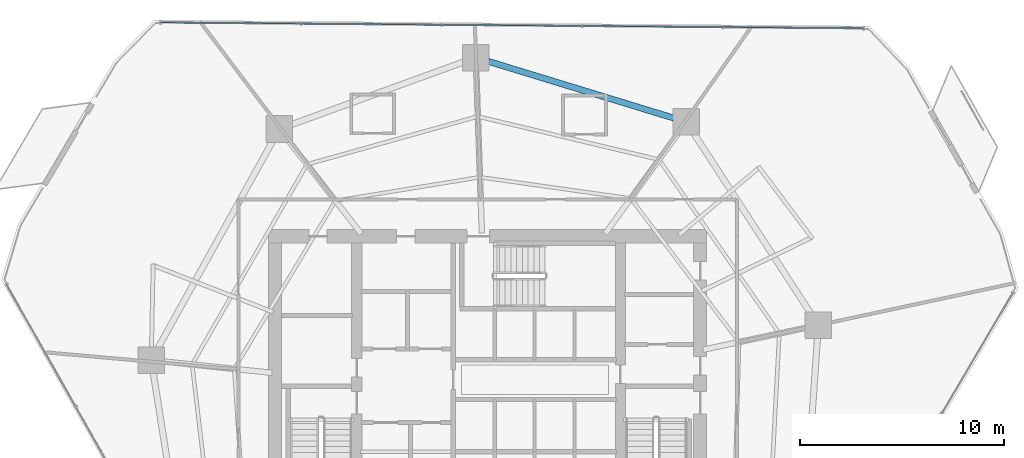
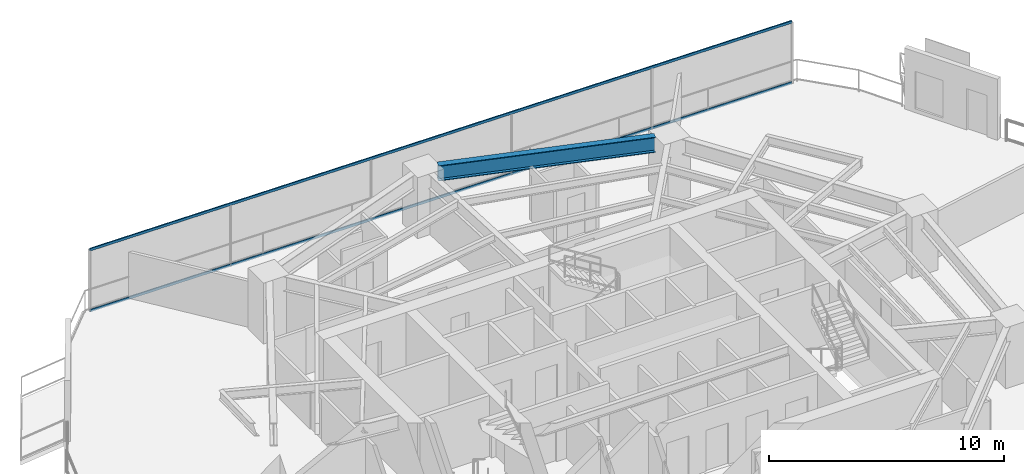
# One storey, part 20 of 31: 2 members, 1 beam, 1 element without a shape of its own.
"""IFC4 building model written with IfcOpenShell, lengths in metres."""

import ifcopenshell
import ifcopenshell.guid

model = None  # the IFC model being written
_history = None  # IfcOwnerHistory: only IFC2X3 demands one
_inside = {}  # id of a spatial element -> (the spatial element, [elements in it])
_under = {}  # id of a project, library or spatial element -> (it, [spatial elements below it])
_declared = {}  # id of a project -> (the project, [libraries it declares])
_typed = {}  # id of a type object -> (the type object, [elements of that type])
_made_of = {}  # id of a material, layer set ... -> (it, [elements and type objects made of it])


def new_model(schema):
    """Start an empty IFC model of exactly this schema.

    Asked for "IFC4X3", IfcOpenShell would pick the latest addendum, in which some entities
    have other attributes; the version numbers below select the first issue.
    IFC2X3 requires an IfcOwnerHistory on every rooted entity: one is made here for all.
    """
    global model, _history
    if schema == "IFC4X3":
        model = ifcopenshell.file(schema_version=(4, 3, 0, 0))
    else:
        model = ifcopenshell.file(schema=schema)
    _inside.clear()
    _under.clear()
    _declared.clear()
    _typed.clear()
    _made_of.clear()
    _history = None
    if model.schema == "IFC2X3":
        org = make("IfcOrganization", Name="unknown")
        user = make(
            "IfcPersonAndOrganization",
            ThePerson=make("IfcPerson", FamilyName="unknown"),
            TheOrganization=org,
        )
        app = make(
            "IfcApplication",
            ApplicationDeveloper=org,
            Version="unknown",
            ApplicationFullName="unknown",
            ApplicationIdentifier="unknown",
        )
        _history = make(
            "IfcOwnerHistory",
            OwningUser=user,
            OwningApplication=app,
            ChangeAction="ADDED",
            CreationDate=0,
        )
    return model


def make(cls, **values):
    """One entity of the class cls with the attributes given. An attribute that is None is left unset."""
    return model.create_entity(
        cls, **{name: value for name, value in values.items() if value is not None}
    )


def rooted(cls, **values):
    """An entity with a GlobalId (a new one), such as an element, a storey or a relation."""
    return make(cls, GlobalId=ifcopenshell.guid.new(), OwnerHistory=_history, **values)


def si_unit(unit_type, name, prefix=None):
    """IfcSIUnit, for example si_unit("LENGTHUNIT", "METRE", prefix="MILLI")."""
    return make("IfcSIUnit", UnitType=unit_type, Prefix=prefix, Name=name)


def assignment(units):
    """IfcUnitAssignment: the units of a project."""
    return None if units is None else make("IfcUnitAssignment", Units=units)


def point(xyz):
    """IfcCartesianPoint."""
    return None if xyz is None else make("IfcCartesianPoint", Coordinates=xyz)


def direction(xyz):
    """IfcDirection."""
    return None if xyz is None else make("IfcDirection", DirectionRatios=xyz)


def frame(location, z_axis=None, x_axis=None):
    """IfcAxis2Placement3D, a coordinate frame: its origin and axes. An axis left out is left unset."""
    return make(
        "IfcAxis2Placement3D",
        Location=point(location),
        Axis=direction(z_axis),
        RefDirection=direction(x_axis),
    )


def frame_2d(location, x_axis=None):
    """IfcAxis2Placement2D, a coordinate frame in the plane: its origin and x axis."""
    return make(
        "IfcAxis2Placement2D", Location=point(location), RefDirection=direction(x_axis)
    )


def origin():
    """The frame at (0, 0, 0) with its axes left unset."""
    return frame((0.0, 0.0, 0.0))


def origin_2d():
    """The frame at (0, 0) in the plane with its x axis left unset."""
    return frame_2d((0.0, 0.0))


def place(relative_to, where):
    """IfcLocalPlacement: puts the frame where relative to a parent placement (None: the world)."""
    return make(
        "IfcLocalPlacement", PlacementRelTo=relative_to, RelativePlacement=where
    )


def context(
    kind, dimensions, precision=None, world=None, true_north=None, identifier=None
):
    """IfcGeometricRepresentationContext, for example the 3D "Model" context."""
    return make(
        "IfcGeometricRepresentationContext",
        ContextIdentifier=identifier,
        ContextType=kind,
        CoordinateSpaceDimension=dimensions,
        Precision=precision,
        WorldCoordinateSystem=world,
        TrueNorth=true_north,
    )


def subcontext(parent, identifier, kind, view, scale=None):
    """IfcGeometricRepresentationSubContext, for example "Body" below "Model"."""
    return make(
        "IfcGeometricRepresentationSubContext",
        ContextIdentifier=identifier,
        ContextType=kind,
        ParentContext=parent,
        TargetScale=scale,
        TargetView=view,
    )


def project(units=None, contexts=None):
    """IfcProject with its units and contexts."""
    return rooted(
        "IfcProject",
        Name="project",
        RepresentationContexts=contexts,
        UnitsInContext=assignment(units),
    )


def spatial(cls, under=None, at=None, **own):
    """A site, building, storey or space (cls), placed at a placement, below another one or the project."""
    s = rooted(cls, ObjectPlacement=at, **own)
    if under is not None:
        _under.setdefault(under.id(), (under, []))[1].append(s)
    return s


def profile(cls, at=None, kind="AREA", **sizes):
    """A parametric profile (cls). Its sizes go by their IFC names, for example OverallWidth=200.0."""
    return make(cls, ProfileType=kind, Position=at, **sizes)


def hollow_rectangle(**sizes):
    """IfcRectangleHollowProfileDef."""
    return profile("IfcRectangleHollowProfileDef", **sizes)


def i_section(**sizes):
    """IfcIShapeProfileDef."""
    return profile("IfcIShapeProfileDef", **sizes)


def extrude(swept, where, along, depth):
    """IfcExtrudedAreaSolid: the profile swept, set in the frame where, extruded along a direction by depth."""
    return make(
        "IfcExtrudedAreaSolid",
        SweptArea=swept,
        Position=where,
        ExtrudedDirection=direction(along),
        Depth=depth,
    )


def shape(context_of_items, identifier, shape_type, items):
    """IfcShapeRepresentation: the items that make up one representation, for example the "Body"."""
    return make(
        "IfcShapeRepresentation",
        ContextOfItems=context_of_items,
        RepresentationIdentifier=identifier,
        RepresentationType=shape_type,
        Items=items,
    )


def material(Name=None, Category=None):
    """IfcMaterial."""
    return make("IfcMaterial", Name=Name, Category=Category)


def layer(
    of_material, thickness, ventilated=None, Name=None, Category=None, Priority=None
):
    """IfcMaterialLayer: one layer of a wall or slab, of a material (None: an air gap)."""
    return make(
        "IfcMaterialLayer",
        Material=of_material,
        LayerThickness=thickness,
        IsVentilated=ventilated,
        Name=Name,
        Category=Category,
        Priority=Priority,
    )


def layer_set(layers, Name=None):
    """IfcMaterialLayerSet."""
    return make("IfcMaterialLayerSet", MaterialLayers=layers, LayerSetName=Name)


def material_profile(
    of_material, cross_section, Name=None, Category=None, Priority=None
):
    """IfcMaterialProfile: a cross section and its material."""
    return make(
        "IfcMaterialProfile",
        Name=Name,
        Material=of_material,
        Profile=cross_section,
        Priority=Priority,
        Category=Category,
    )


def profile_set(profiles, Name=None, composite=None):
    """IfcMaterialProfileSet."""
    return make(
        "IfcMaterialProfileSet",
        Name=Name,
        MaterialProfiles=profiles,
        CompositeProfile=composite,
    )


def made_of(thing, what):
    """Note that an element or type object is made of a material, layer set ...; save() writes the relation."""
    if what is not None:
        _made_of.setdefault(what.id(), (what, []))[1].append(thing)
    return thing


def type_object(cls, material=None, **own):
    """A type object (cls), such as IfcWallType, which elements share."""
    return made_of(rooted(cls, **own), material)


def element(
    cls,
    number,
    at=None,
    inside=None,
    cuts=None,
    type_object=None,
    material=None,
    context=None,
    identifier="Body",
    shape_type=None,
    held_by="IfcProductDefinitionShape",
    body=None,
    shapes=None,
    **own,
):
    """One element of the class cls, such as IfcWall. Its Tag is "e" and its number.

    at: its placement. inside: the storey or other place that contains it. cuts: it is an
    opening in that element (IfcRelVoidsElement). A single representation is given by context,
    identifier, shape_type and body (its items); several are given by shapes. held_by: the class
    of the entity that holds the representations. save() writes the other relations.
    """
    e = rooted(cls, Tag="e%d" % number, ObjectPlacement=at, **own)
    if body is not None:
        shapes = [shape(context, identifier, shape_type, body)]
    if shapes is not None:
        e.Representation = make(held_by, Representations=shapes)
    if inside is not None:
        _inside.setdefault(inside.id(), (inside, []))[1].append(e)
    if cuts is not None:
        rooted(
            "IfcRelVoidsElement", RelatingBuildingElement=cuts, RelatedOpeningElement=e
        )
    if type_object is not None:
        _typed.setdefault(type_object.id(), (type_object, []))[1].append(e)
    return made_of(e, material)


def aggregate(whole, parts):
    """IfcRelAggregates: a whole, such as a stair, and the parts it consists of."""
    return rooted("IfcRelAggregates", RelatingObject=whole, RelatedObjects=parts)


def save(model, path):
    """Write the relations noted so far, then the file.

    IfcRelAggregates (storeys below a building ...), IfcRelContainedInSpatialStructure (elements
    in a storey), IfcRelDefinesByType, IfcRelAssociatesMaterial and IfcRelDeclares: one each for
    every whole, place, type object, material and project.
    """
    for whole, parts in _under.values():
        aggregate(whole, parts)
    for where, things in _inside.values():
        rooted(
            "IfcRelContainedInSpatialStructure",
            RelatedElements=things,
            RelatingStructure=where,
        )
    for kind, things in _typed.values():
        rooted("IfcRelDefinesByType", RelatedObjects=things, RelatingType=kind)
    for what, things in _made_of.values():
        rooted("IfcRelAssociatesMaterial", RelatedObjects=things, RelatingMaterial=what)
    for by, libraries in _declared.values():
        rooted("IfcRelDeclares", RelatingContext=by, RelatedDefinitions=libraries)
    model.write(path)


model = new_model("IFC4")

# Units and contexts
model_context = context("Model", 3, precision=1e-05, world=origin(), true_north=direction((0.0, 1.0)))
body_context = subcontext(model_context, "Body", "Model", "MODEL_VIEW")
ifc_project = project(units=[si_unit("LENGTHUNIT", "METRE"), si_unit("AREAUNIT", "SQUARE_METRE"), si_unit("VOLUMEUNIT", "CUBIC_METRE"), si_unit("PLANEANGLEUNIT", "RADIAN"), si_unit("MASSUNIT", "GRAM", prefix="KILO")], contexts=[model_context])

# Site, building, storey
site_placement = place(None, origin())
site = spatial("IfcSite", under=ifc_project, at=site_placement, CompositionType="ELEMENT")
building_placement = place(site_placement, origin())
building = spatial("IfcBuilding", under=site, at=building_placement, Name="Qarnah Convention Tower", CompositionType="ELEMENT")
storey_placement = place(building_placement, frame((0.0, 0.0, 64.949951171875)))
storey = spatial("IfcBuildingStorey", under=building, at=storey_placement, Name="L16", CompositionType="ELEMENT", Elevation=64.949951171875)

# Beam
ifc_material_1 = material(Name="Structural steel S355JR", Category="steel")
ifc_material_profile_1 = material_profile(ifc_material_1, i_section(OverallWidth=0.300048828125, OverallDepth=0.800048828125, WebThickness=0.01806640625, FlangeThickness=0.032958984375, at=origin_2d()), Name="HEB800")
ifc_profile_set_1 = profile_set([ifc_material_profile_1], Name="Structural steel S355JR")
beam_type = type_object("IfcBeamType", Name="BM-RING-HEB800", PredefinedType="BEAM", material=ifc_profile_set_1)
beam_placement = place(storey_placement, frame((46.31591796875, 39.97607421875, 2.77001953125), z_axis=(-0.956298871663, 0.292390950707, 0.0), x_axis=(-0.292390950707, -0.956298871663, 0.0)))
element("IfcBeam", 1, at=beam_placement, inside=storey, type_object=beam_type, Name="L16 beam BM-L16-SPN-02", PredefinedType="BEAM", context=body_context, shape_type="SweptSolid", body=[
    extrude(i_section(OverallWidth=0.300048828125, OverallDepth=0.800048828125, WebThickness=0.01806640625, FlangeThickness=0.032958984375, at=origin_2d()), origin(), (0.0, 0.0, 1.0), 9.4970703125),
])

# Curtain wall, members
ifc_material_2 = material(Name="Tempered Low-E dark glass", Category="glass")
ifc_layer = layer(ifc_material_2, 0.16796875)
ifc_layer_set = layer_set([ifc_layer], Name="Tempered Low-E dark glass")
curtain_wall_type = type_object("IfcCurtainWallType", Name="CWS-01", PredefinedType="NOTDEFINED", material=ifc_layer_set)
curtain_wall_placement = place(storey_placement, origin())
curtain_wall = element("IfcCurtainWall", 2, at=curtain_wall_placement, inside=storey, type_object=curtain_wall_type, Name="L16 unitised curtain wall CW-L16-F1", PredefinedType="NOTDEFINED")
ifc_material_3 = material(Name="Black anodised aluminium", Category="aluminium")
ifc_material_profile_2 = material_profile(ifc_material_3, hollow_rectangle(XDim=0.06005859375, YDim=0.1298828125, WallThickness=0.00390625, at=origin_2d()), Name="TRN-60X130")
ifc_profile_set_2 = profile_set([ifc_material_profile_2], Name="Black anodised aluminium")
member_type = type_object("IfcMemberType", Name="TRN-T1", PredefinedType="USERDEFINED", material=ifc_profile_set_2)
member_1_placement = place(storey_placement, frame((21.197021484375, 44.654052734375, 0.0), z_axis=(0.999965164161, -0.00834688353, 0.0), x_axis=(0.00834688353, 0.999965164161, 0.0)))
member_1 = element("IfcMember", 3, at=member_1_placement, type_object=member_type, Name="CW-L16-F1 transom 1", ObjectType="TRANSOM", PredefinedType="USERDEFINED", context=body_context, shape_type="SweptSolid", body=[
    extrude(hollow_rectangle(XDim=0.06005859375, YDim=0.1298828125, WallThickness=0.00390625, at=origin_2d()), origin(), (0.0, 0.0, 1.0), 34.397216796875),
])
member_2_placement = place(storey_placement, frame((21.197021484375, 44.654052734375, 3.170166015625), z_axis=(0.999965164161, -0.00834688353, 0.0), x_axis=(0.00834688353, 0.999965164161, 0.0)))
member_2 = element("IfcMember", 4, at=member_2_placement, type_object=member_type, Name="CW-L16-F1 transom 2", ObjectType="TRANSOM", PredefinedType="USERDEFINED", context=body_context, shape_type="SweptSolid", body=[
    extrude(hollow_rectangle(XDim=0.06005859375, YDim=0.1298828125, WallThickness=0.00390625, at=origin_2d()), origin(), (0.0, 0.0, 1.0), 34.397216796875),
])
aggregate(curtain_wall, [member_1, member_2])

save(model, "model.ifc")
